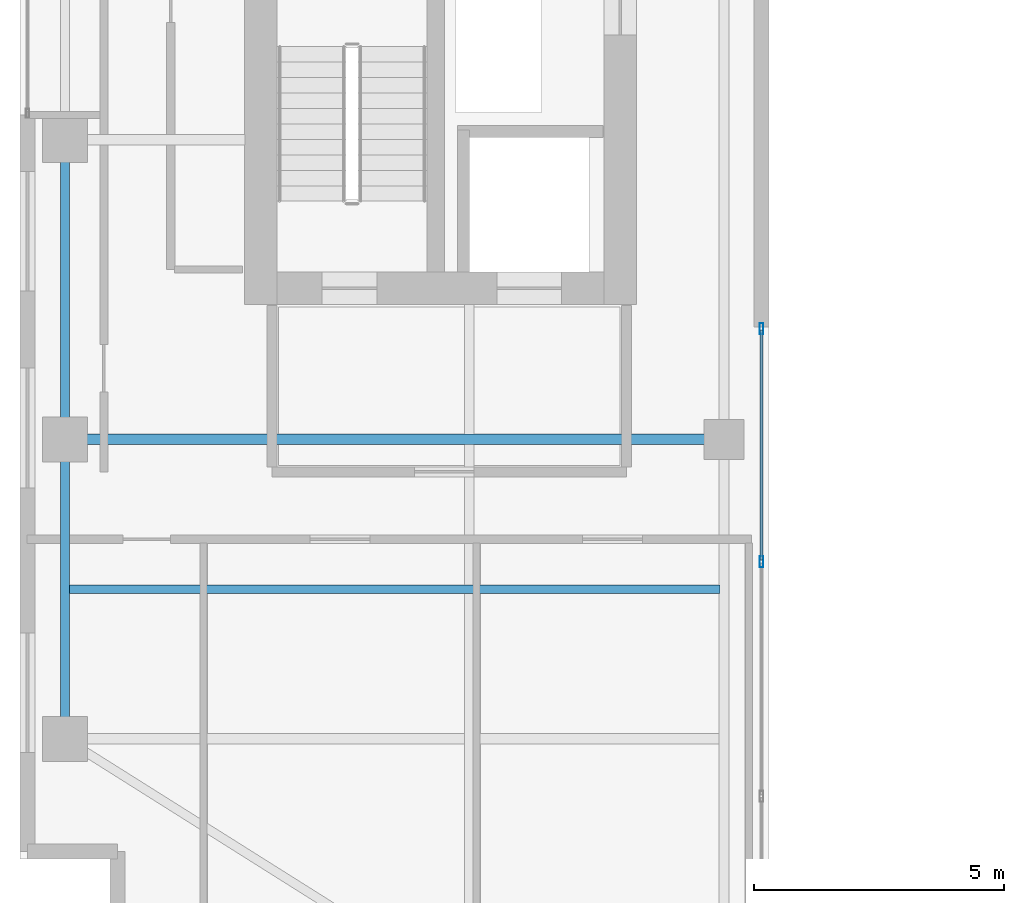
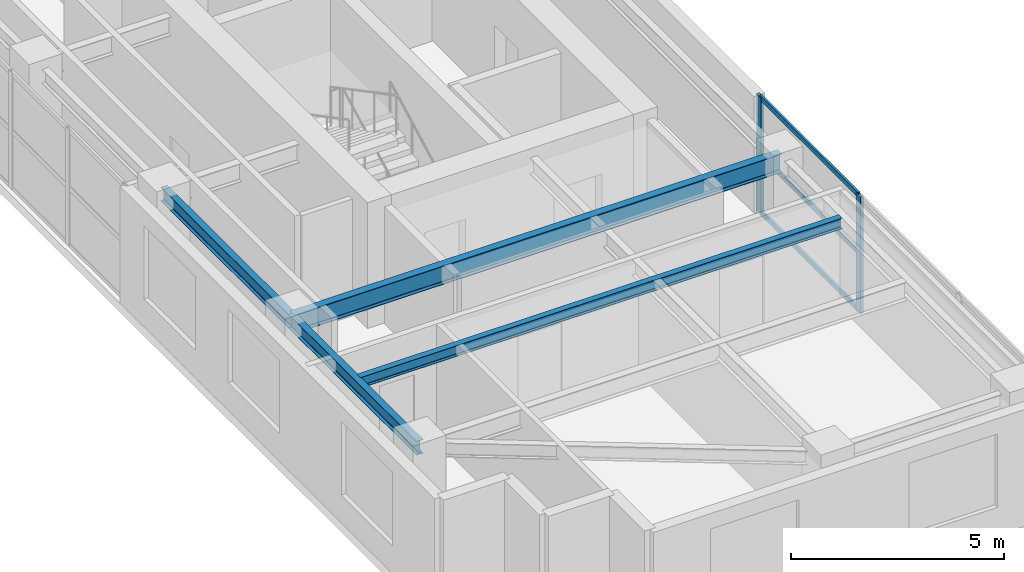
# One storey, part 3 of 22: 5 members, 4 beams, 1 element without a shape of its own.
"""IFC4 building model written with IfcOpenShell, lengths in metres."""

from ifc_helpers import new_model, si_unit, direction, frame, origin, origin_2d, place, context, subcontext, project, spatial, hollow_rectangle, i_section, extrude, source, transform, mapped, material, layer, layer_set, material_profile, profile_set, type_object, element, aggregate, save


model = new_model("IFC4")

# Units and contexts
model_context = context("Model", 3, precision=1e-05, world=origin(), true_north=direction((0.0, 1.0)))
body_context = subcontext(model_context, "Body", "Model", "MODEL_VIEW")
ifc_project = project(units=[si_unit("LENGTHUNIT", "METRE"), si_unit("AREAUNIT", "SQUARE_METRE"), si_unit("VOLUMEUNIT", "CUBIC_METRE"), si_unit("PLANEANGLEUNIT", "RADIAN"), si_unit("MASSUNIT", "GRAM", prefix="KILO")], contexts=[model_context])

# Site, building, storey
site_placement = place(None, origin())
site = spatial("IfcSite", under=ifc_project, at=site_placement, CompositionType="ELEMENT")
building_placement = place(site_placement, origin())
building = spatial("IfcBuilding", under=site, at=building_placement, Name="Khoralis Quay Care Tower", CompositionType="ELEMENT")
storey_placement = place(building_placement, frame((0.0, 0.0, 184.5)))
storey = spatial("IfcBuildingStorey", under=building, at=storey_placement, Name="L48", CompositionType="ELEMENT", Elevation=184.5)

# Beams
ifc_material_1 = material(Name="Steel S355", Category="steel")
ifc_material_profile_1 = material_profile(ifc_material_1, i_section(OverallWidth=0.179931640625, OverallDepth=0.39990234375, WebThickness=0.008544921875, FlangeThickness=0.013427734375, FilletRadius=0.02099609375, at=origin_2d()), Name="Steel S355")
ifc_profile_set_1 = profile_set([ifc_material_profile_1], Name="Steel S355")
beam_type_1 = type_object("IfcBeamType", Name="BM-IPE400", PredefinedType="SPANDREL", material=ifc_profile_set_1)
shared_shape_1 = source(origin(), body_context, "Body", "SweptSolid", [
    extrude(i_section(OverallWidth=0.179931640625, OverallDepth=0.39990234375, WebThickness=0.008544921875, FlangeThickness=0.013427734375, FilletRadius=0.02099609375, at=origin_2d()), origin(), (0.0, 0.0, 1.0), 6.0),
])
for number, where, z_axis, x_axis, name in (
    (1, (3.89990234375, 6.0, 3.139892578125), (0.0, 1.0, 0.0), (-1.0, 0.0, 0.0), "BM-TSP-L48-05"),
    (2, (3.89990234375, 12.0, 3.139892578125), (0.0, 1.0, 0.0), (-1.0, 0.0, 0.0), "BM-TSP-L48-06"),
):
    element("IfcBeam", number, at=place(storey_placement, frame(where, z_axis=z_axis, x_axis=x_axis)), inside=storey, type_object=beam_type_1, Name=name, PredefinedType="SPANDREL", context=body_context, shape_type="MappedRepresentation", body=[
        mapped(shared_shape_1, transform((0.0, 0.0, 0.0), scale=1.0)),
    ])
ifc_material_profile_2 = material_profile(ifc_material_1, i_section(OverallWidth=0.208984375, OverallDepth=0.532958984375, WebThickness=0.01025390625, FlangeThickness=0.015625, FilletRadius=0.01611328125, at=origin_2d()), Name="Steel S355")
ifc_profile_set_2 = profile_set([ifc_material_profile_2], Name="Steel S355")
beam_type_2 = type_object("IfcBeamType", Name="BM-W530X92", PredefinedType="BEAM", material=ifc_profile_set_2)
shared_shape_2 = source(origin(), body_context, "Body", "SweptSolid", [
    extrude(i_section(OverallWidth=0.208984375, OverallDepth=0.532958984375, WebThickness=0.01025390625, FlangeThickness=0.015625, FilletRadius=0.01611328125, at=origin_2d()), origin(), (0.0, 0.0, 1.0), 13.2001953125),
])
beam_1_placement = place(storey_placement, frame((3.89990234375, 12.0, 3.073486328125), z_axis=(1.0, 0.0, 0.0), x_axis=(0.0, 1.0, 0.0)))
element("IfcBeam", 3, at=beam_1_placement, inside=storey, type_object=beam_type_2, Name="BM-TGXW-L48-120", PredefinedType="BEAM", context=body_context, shape_type="MappedRepresentation", body=[
    mapped(shared_shape_2, transform((0.0, 0.0, 0.0), scale=1.0)),
])
ifc_material_profile_3 = material_profile(ifc_material_1, i_section(OverallWidth=0.1650390625, OverallDepth=0.31005859375, WebThickness=0.005859375, FlangeThickness=0.009765625, FilletRadius=0.011962890625, at=origin_2d()), Name="Steel S355")
ifc_profile_set_3 = profile_set([ifc_material_profile_3], Name="Steel S355")
beam_type_3 = type_object("IfcBeamType", Name="BM-W310X39", PredefinedType="JOIST", material=ifc_profile_set_3)
shared_shape_3 = source(origin(), body_context, "Body", "SweptSolid", [
    extrude(i_section(OverallWidth=0.1650390625, OverallDepth=0.31005859375, WebThickness=0.005859375, FlangeThickness=0.009765625, FilletRadius=0.011962890625, at=origin_2d()), origin(), (0.0, 0.0, 1.0), 13.0400390625),
])
beam_2_placement = place(storey_placement, frame((3.97607421875, 9.0, 3.18505859375), z_axis=(1.0, 0.0, 0.0), x_axis=(0.0, 1.0, 0.0)))
element("IfcBeam", 4, at=beam_2_placement, inside=storey, type_object=beam_type_3, Name="BM-TJS-L48-19", PredefinedType="JOIST", context=body_context, shape_type="MappedRepresentation", body=[
    mapped(shared_shape_3, transform((0.0, 0.0, 0.0), scale=1.0)),
])

# Curtain wall, members
ifc_material_2 = material(Name="Pale anodised aluminium", Category="aluminium")
ifc_layer = layer(ifc_material_2, 0.18994140625)
ifc_layer_set = layer_set([ifc_layer], Name="Pale anodised aluminium")
curtain_wall_type = type_object("IfcCurtainWallType", Name="CW-SYS-PORTAL", PredefinedType="NOTDEFINED", material=ifc_layer_set)
curtain_wall_placement = place(storey_placement, origin())
curtain_wall = element("IfcCurtainWall", 5, at=curtain_wall_placement, inside=storey, type_object=curtain_wall_type, Name="L48 Unitised Curtain Wall CW-VP-L48-P1-S", PredefinedType="NOTDEFINED")
ifc_material_profile_4 = material_profile(ifc_material_2, hollow_rectangle(XDim=0.074951171875, YDim=0.219970703125, WallThickness=0.00390625, at=origin_2d()), Name="Pale anodised aluminium")
ifc_profile_set_4 = profile_set([ifc_material_profile_4], Name="Pale anodised aluminium")
member_type_1 = type_object("IfcMemberType", Name="CW-MUL-220", PredefinedType="MULLION", material=ifc_profile_set_4)
shared_shape_4 = source(origin(), body_context, "Body", "SweptSolid", [
    extrude(hollow_rectangle(XDim=0.074951171875, YDim=0.219970703125, WallThickness=0.00390625, at=origin_2d()), origin(), (0.0, 0.0, 1.0), 3.340087890625),
])
member_1_placement = place(storey_placement, frame((17.85009765625, 9.550048828125, 0.0), z_axis=(0.0, 0.0, 1.0), x_axis=(-1.0, 0.0, 0.0)))
member_1 = element("IfcMember", 6, at=member_1_placement, type_object=member_type_1, Name="CW4 mullion 3", PredefinedType="MULLION", context=body_context, shape_type="MappedRepresentation", body=[
    mapped(shared_shape_4, transform((0.0, 0.0, 0.0), scale=1.0)),
])
member_2_placement = place(storey_placement, frame((17.85009765625, 14.219970703125, 0.0), z_axis=(0.0, 0.0, 1.0), x_axis=(-1.0, 0.0, 0.0)))
member_2 = element("IfcMember", 7, at=member_2_placement, type_object=member_type_1, Name="CW4 mullion 4", PredefinedType="MULLION", context=body_context, shape_type="MappedRepresentation", body=[
    mapped(shared_shape_4, transform((0.0, 0.0, 0.0), scale=1.0)),
])
ifc_material_profile_5 = material_profile(ifc_material_2, hollow_rectangle(XDim=0.06005859375, YDim=0.139892578125, WallThickness=0.00390625, at=origin_2d()), Name="Pale anodised aluminium")
ifc_profile_set_5 = profile_set([ifc_material_profile_5], Name="Pale anodised aluminium")
member_type_2 = type_object("IfcMemberType", Name="CW-TRN-140", PredefinedType="USERDEFINED", material=ifc_profile_set_5)
shared_shape_5 = source(origin(), body_context, "Body", "SweptSolid", [
    extrude(hollow_rectangle(XDim=0.06005859375, YDim=0.139892578125, WallThickness=0.00390625, at=origin_2d()), origin(), (0.0, 0.0, 1.0), 4.60986328125),
])
member_3_placement = place(storey_placement, frame((17.85009765625, 9.580078125, 0.030029296875), z_axis=(0.0, 1.0, 0.0), x_axis=(-1.0, 0.0, 0.0)))
member_3 = element("IfcMember", 8, at=member_3_placement, type_object=member_type_2, Name="CW4 transom 3.1", ObjectType="TRANSOM", PredefinedType="USERDEFINED", context=body_context, shape_type="MappedRepresentation", body=[
    mapped(shared_shape_5, transform((0.0, 0.0, 0.0), scale=1.0)),
])
member_4_placement = place(storey_placement, frame((17.85009765625, 9.580078125, 1.669921875), z_axis=(0.0, 1.0, 0.0), x_axis=(-1.0, 0.0, 0.0)))
member_4 = element("IfcMember", 9, at=member_4_placement, type_object=member_type_2, Name="CW4 transom 3.2", ObjectType="TRANSOM", PredefinedType="USERDEFINED", context=body_context, shape_type="MappedRepresentation", body=[
    mapped(shared_shape_5, transform((0.0, 0.0, 0.0), scale=1.0)),
])
member_5_placement = place(storey_placement, frame((17.85009765625, 9.580078125, 3.31005859375), z_axis=(0.0, 1.0, 0.0), x_axis=(-1.0, 0.0, 0.0)))
member_5 = element("IfcMember", 10, at=member_5_placement, type_object=member_type_2, Name="CW4 transom 3.3", ObjectType="TRANSOM", PredefinedType="USERDEFINED", context=body_context, shape_type="MappedRepresentation", body=[
    mapped(shared_shape_5, transform((0.0, 0.0, 0.0), scale=1.0)),
])
aggregate(curtain_wall, [member_1, member_2, member_3, member_4, member_5])

save(model, "model.ifc")
